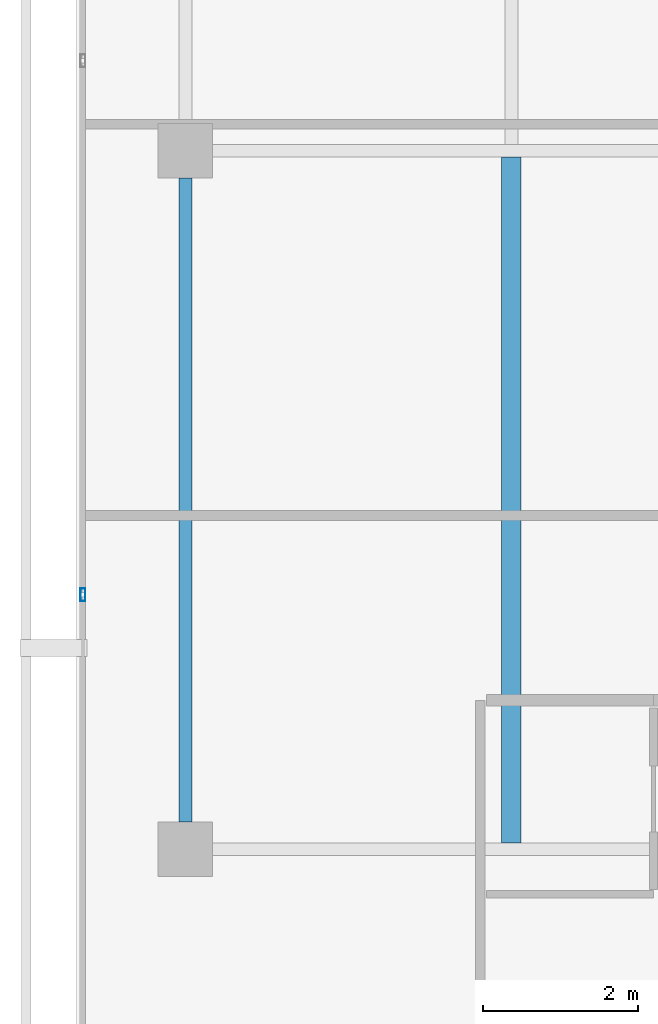
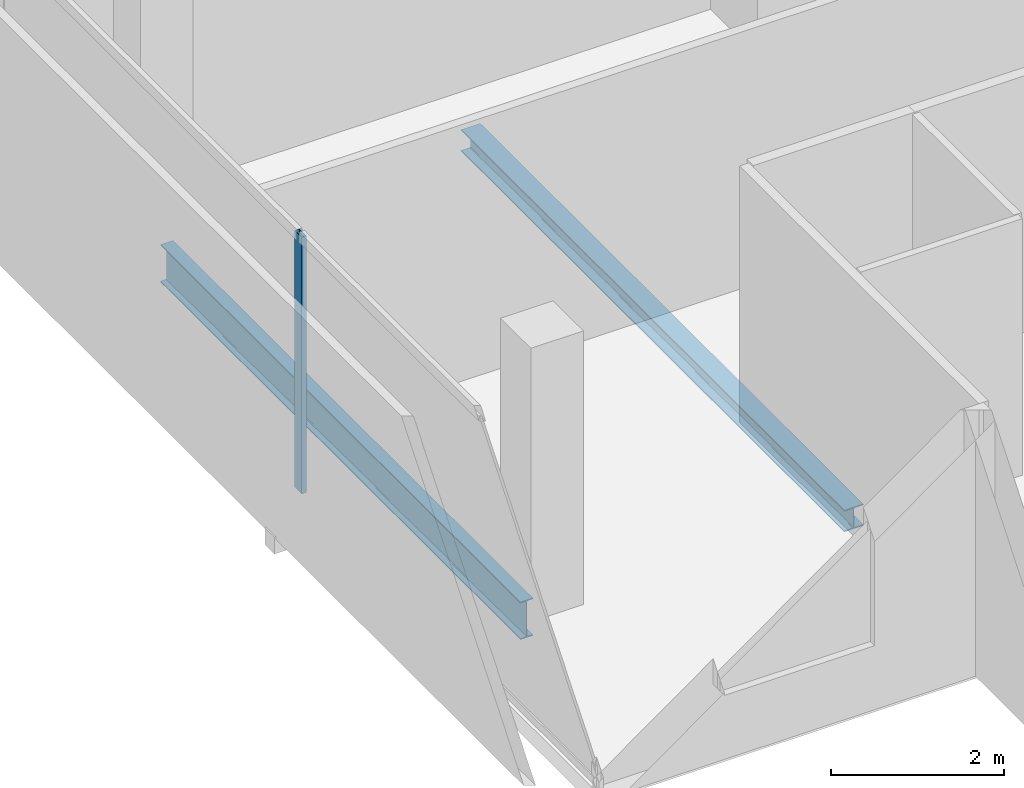
# One storey, part 4 of 26: 2 beams, 1 member, 1 element without a shape of its own.
"""IFC4 building model written with IfcOpenShell, lengths in metres."""

from ifc_helpers import new_model, si_unit, direction, frame, origin, origin_2d, place, context, subcontext, project, spatial, hollow_rectangle, i_section, extrude, material, layer, layer_set, material_profile, profile_set, type_object, element, aggregate, save


model = new_model("IFC4")

# Units and contexts
model_context = context("Model", 3, precision=1e-05, world=origin(), true_north=direction((0.0, 1.0)))
body_context = subcontext(model_context, "Body", "Model", "MODEL_VIEW")
ifc_project = project(units=[si_unit("LENGTHUNIT", "METRE"), si_unit("AREAUNIT", "SQUARE_METRE"), si_unit("VOLUMEUNIT", "CUBIC_METRE"), si_unit("PLANEANGLEUNIT", "RADIAN"), si_unit("MASSUNIT", "GRAM", prefix="KILO")], contexts=[model_context])

# Site, building, storey
site_placement = place(None, origin())
site = spatial("IfcSite", under=ifc_project, at=site_placement, CompositionType="ELEMENT")
building_placement = place(site_placement, origin())
building = spatial("IfcBuilding", under=site, at=building_placement, Name="Maruvema Waterfront Hotel and Observation Tower", CompositionType="ELEMENT")
storey_placement = place(building_placement, frame((0.0, 0.0, 293.300048828125)))
storey = spatial("IfcBuildingStorey", under=building, at=storey_placement, Name="L72", CompositionType="ELEMENT", Elevation=293.300048828125)

# Curtain wall, member
ifc_material_1 = material(Name="Anodised bronze aluminium and solar-control low-E IGU", Category="aluminium")
ifc_layer = layer(ifc_material_1, 0.159912109375, Name="Zone 3 Champagne Inner Thermal Curtain Wall System CW-04")
ifc_layer_set = layer_set([ifc_layer], Name="Anodised bronze aluminium and solar-control low-E IGU")
curtain_wall_type = type_object("IfcCurtainWallType", Name="Zone 3 Champagne Inner Thermal Curtain Wall System CW-04", PredefinedType="USERDEFINED", material=ifc_layer_set)
curtain_wall_placement = place(storey_placement, origin())
curtain_wall = element("IfcCurtainWall", 1, at=curtain_wall_placement, inside=storey, type_object=curtain_wall_type, Name="L72 Curtain Wall CW-L72-W", ObjectType="UNITISED CURTAIN WALL", PredefinedType="USERDEFINED")
ifc_material_2 = material(Name="Anodised architectural bronze aluminium", Category="aluminium")
ifc_material_profile_1 = material_profile(ifc_material_2, hollow_rectangle(XDim=0.06494140625, YDim=0.1650390625, WallThickness=0.00390625, at=origin_2d()), Name="ALU-M65x165")
ifc_profile_set_1 = profile_set([ifc_material_profile_1], Name="Anodised architectural bronze aluminium")
member_type = type_object("IfcMemberType", Name="Curtain Wall Primary Mullion ALU-M65x165", PredefinedType="MULLION", material=ifc_profile_set_1)
member_placement = place(storey_placement, frame((15.47998046875, 21.280029296875, 0.0), z_axis=(0.0, 0.0, 1.0), x_axis=(1.0, 0.0, 0.0)))
member = element("IfcMember", 2, at=member_placement, type_object=member_type, Name="CW-04 mullion 5", PredefinedType="MULLION", context=body_context, shape_type="SweptSolid", body=[
    extrude(hollow_rectangle(XDim=0.06494140625, YDim=0.1650390625, WallThickness=0.00390625, at=origin_2d()), origin(), (0.0, 0.0, 1.0), 3.60986328125),
])
aggregate(curtain_wall, [member])

# Beams
ifc_material_3 = material(Name="Steel ASTM A572 Grade 50", Category="steel")
ifc_material_profile_2 = material_profile(ifc_material_3, i_section(OverallWidth=0.166015625, OverallDepth=0.529052734375, WebThickness=0.009765625, FlangeThickness=0.013671875, FilletRadius=0.014892578125, at=origin_2d()), Name="W530x74.0")
ifc_profile_set_2 = profile_set([ifc_material_profile_2], Name="Steel ASTM A572 Grade 50")
beam_type_1 = type_object("IfcBeamType", Name="Primary Floor Girder W530x74.0", PredefinedType="BEAM", material=ifc_profile_set_2)
beam_1_placement = place(storey_placement, frame((16.800048828125, 18.35009765625, -0.504638671875), z_axis=(0.0, 1.0, 0.0), x_axis=(-1.0, 0.0, 0.0)))
element("IfcBeam", 3, at=beam_1_placement, inside=storey, type_object=beam_type_1, Name="L72 Floor Girder NS-01", PredefinedType="BEAM", context=body_context, shape_type="SweptSolid", body=[
    extrude(i_section(OverallWidth=0.166015625, OverallDepth=0.529052734375, WebThickness=0.009765625, FlangeThickness=0.013671875, FilletRadius=0.014892578125, at=origin_2d()), origin(), (0.0, 0.0, 1.0), 8.2998046875),
])
ifc_material_4 = material(Name="Steel ASTM A572 Grade 50", Category="steel")
ifc_material_profile_3 = material_profile(ifc_material_4, i_section(OverallWidth=0.25390625, OverallDepth=0.305908203125, WebThickness=0.0087890625, FlangeThickness=0.0146484375, FilletRadius=0.014892578125, at=origin_2d()), Name="W310x79.0")
ifc_profile_set_3 = profile_set([ifc_material_profile_3], Name="Steel ASTM A572 Grade 50")
beam_type_2 = type_object("IfcBeamType", Name="Secondary Floor Joist W310x79.0", PredefinedType="JOIST", material=ifc_profile_set_3)
beam_2_placement = place(storey_placement, frame((21.0, 18.0830078125, -0.39306640625), z_axis=(0.0, 1.0, 0.0), x_axis=(-1.0, 0.0, 0.0)))
element("IfcBeam", 4, at=beam_2_placement, inside=storey, type_object=beam_type_2, Name="L72 Secondary Floor Joist JS-01", PredefinedType="JOIST", context=body_context, shape_type="SweptSolid", body=[
    extrude(i_section(OverallWidth=0.25390625, OverallDepth=0.305908203125, WebThickness=0.0087890625, FlangeThickness=0.0146484375, FilletRadius=0.014892578125, at=origin_2d()), origin(), (0.0, 0.0, 1.0), 8.833984375),
])

save(model, "model.ifc")
